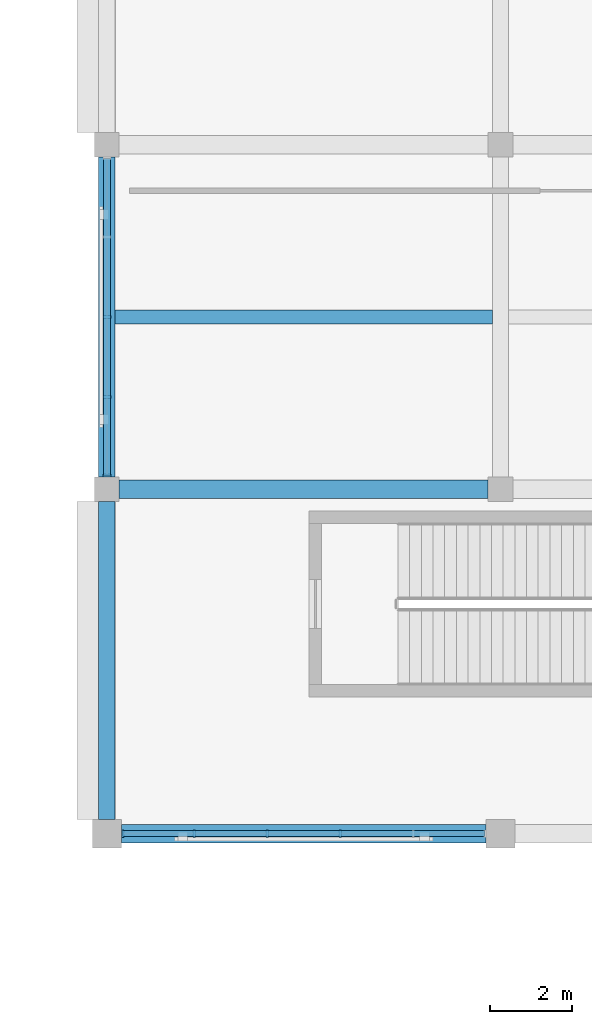
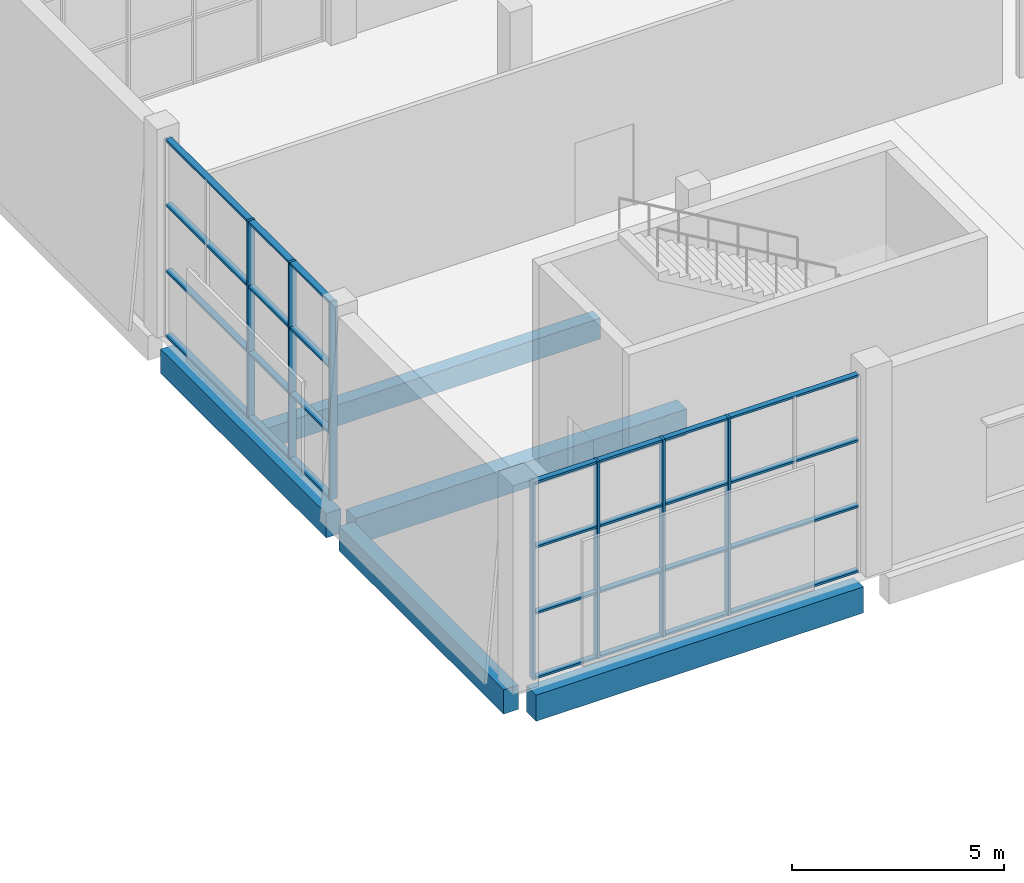
# One storey, part 26 of 84: 15 members, 5 beams, 2 elements without a shape of their own.
"""IFC4 building model written with IfcOpenShell, lengths in metres."""

from ifc_helpers import new_model, si_unit, direction, frame, origin, origin_2d, place, context, subcontext, project, spatial, rectangle, extrude, material, material_profile, profile_set, type_object, element, aggregate, save


model = new_model("IFC4")

# Units and contexts
model_context = context("Model", 3, precision=1e-05, world=origin(), true_north=direction((0.0, 1.0)))
body_context = subcontext(model_context, "Body", "Model", "MODEL_VIEW")
ifc_project = project(units=[si_unit("LENGTHUNIT", "METRE"), si_unit("AREAUNIT", "SQUARE_METRE"), si_unit("VOLUMEUNIT", "CUBIC_METRE"), si_unit("PLANEANGLEUNIT", "RADIAN"), si_unit("MASSUNIT", "GRAM", prefix="KILO")], contexts=[model_context])

# Site, building, storey
site_placement = place(None, origin())
site = spatial("IfcSite", under=ifc_project, at=site_placement, CompositionType="ELEMENT")
building_placement = place(site_placement, origin())
building = spatial("IfcBuilding", under=site, at=building_placement, Name="Shalvenor Court Art Gallery", CompositionType="ELEMENT")
storey_placement = place(building_placement, origin())
storey = spatial("IfcBuildingStorey", under=building, at=storey_placement, Name="L00", CompositionType="ELEMENT", Elevation=0.0)

# Beams
ifc_material_1 = material(Name="Concrete C40/50", Category="concrete")
ifc_material_profile_1 = material_profile(ifc_material_1, rectangle(XDim=0.449951171875, YDim=0.75, at=origin_2d()), Name="RC 450x750")
ifc_profile_set_1 = profile_set([ifc_material_profile_1], Name="Concrete C40/50")
beam_type_1 = type_object("IfcBeamType", Name="B-04", PredefinedType="BEAM", material=ifc_profile_set_1)
beam_1_placement = place(storey_placement, frame((57.949951171875, 97.199951171875, -0.715087890625), z_axis=(1.0, 0.0, 0.0), x_axis=(0.0, 1.0, 0.0)))
element("IfcBeam", 1, at=beam_1_placement, inside=storey, type_object=beam_type_1, Name="L00 Girder BM-L00-B-04-0239", PredefinedType="BEAM", context=body_context, shape_type="SweptSolid", body=[
    extrude(rectangle(XDim=0.449951171875, YDim=0.75, at=origin_2d()), origin(), (0.0, 0.0, 1.0), 8.900146484375),
])
beam_2_placement = place(storey_placement, frame((57.89990234375, 105.60009765625, -0.715087890625), z_axis=(1.0, 0.0, 0.0), x_axis=(0.0, 1.0, 0.0)))
element("IfcBeam", 2, at=beam_2_placement, inside=storey, type_object=beam_type_1, Name="L00 Girder BM-L00-B-04-0255", PredefinedType="BEAM", context=body_context, shape_type="SweptSolid", body=[
    extrude(rectangle(XDim=0.449951171875, YDim=0.75, at=origin_2d()), origin(), (0.0, 0.0, 1.0), 9.0),
])
ifc_material_2 = material(Name="Concrete C40/50", Category="concrete")
ifc_material_profile_2 = material_profile(ifc_material_2, rectangle(XDim=0.39990234375, YDim=0.699951171875, at=origin_2d()), Name="RC 400x700")
ifc_profile_set_2 = profile_set([ifc_material_profile_2], Name="Concrete C40/50")
beam_type_2 = type_object("IfcBeamType", Name="B-05", PredefinedType="BEAM", material=ifc_profile_set_2)
beam_3_placement = place(storey_placement, frame((57.60009765625, 97.550048828125, -0.68994140625), z_axis=(0.0, 1.0, 0.0), x_axis=(-1.0, 0.0, 0.0)))
element("IfcBeam", 3, at=beam_3_placement, inside=storey, type_object=beam_type_2, Name="L00 Girder BM-L00-B-05-0048", PredefinedType="BEAM", context=body_context, shape_type="SweptSolid", body=[
    extrude(rectangle(XDim=0.39990234375, YDim=0.699951171875, at=origin_2d()), origin(), (0.0, 0.0, 1.0), 7.75),
])
beam_4_placement = place(storey_placement, frame((57.60009765625, 105.89990234375, -0.68994140625), z_axis=(0.0, 1.0, 0.0), x_axis=(-1.0, 0.0, 0.0)))
element("IfcBeam", 4, at=beam_4_placement, inside=storey, type_object=beam_type_2, Name="L00 Girder BM-L00-B-05-0049", PredefinedType="BEAM", context=body_context, shape_type="SweptSolid", body=[
    extrude(rectangle(XDim=0.39990234375, YDim=0.699951171875, at=origin_2d()), origin(), (0.0, 0.0, 1.0), 7.800048828125),
])

# Curtain wall, members
ifc_material_3 = material(Name="Anodised aluminium and low-iron glass curtain wall", Category="aluminium")
curtain_wall_type_1 = type_object("IfcCurtainWallType", Name="CW-5x3-89-57-112", PredefinedType="USERDEFINED", material=ifc_material_3)
curtain_wall_1_placement = place(storey_placement, origin())
curtain_wall_1 = element("IfcCurtainWall", 5, at=curtain_wall_1_placement, inside=storey, type_object=curtain_wall_type_1, Name="L00 V2 Curtain Wall CW-L00-060", ObjectType="CURTAIN WALL", PredefinedType="USERDEFINED")
ifc_material_4 = material(Name="Anodised aluminium mullion", Category="aluminium")
ifc_material_profile_3 = material_profile(ifc_material_4, rectangle(XDim=0.06494140625, YDim=0.179931640625, at=origin_2d()), Name="CWM-01")
ifc_profile_set_3 = profile_set([ifc_material_profile_3], Name="Anodised aluminium mullion")
member_type_1 = type_object("IfcMemberType", Name="CWM-01", PredefinedType="MULLION", material=ifc_profile_set_3)
member_1_placement = place(storey_placement, frame((63.2900390625, 97.199951171875, 0.0), z_axis=(0.0, 0.0, 1.0), x_axis=(-1.0, 0.0, 0.0)))
member_1 = element("IfcMember", 6, at=member_1_placement, type_object=member_type_1, Name="CW-5x3-89-57-112 mullion 3", PredefinedType="MULLION", context=body_context, shape_type="SweptSolid", body=[
    extrude(rectangle(XDim=0.06494140625, YDim=0.179931640625, at=origin_2d()), origin(), (0.0, 0.0, 1.0), 5.679931640625),
])
member_2_placement = place(storey_placement, frame((61.510009765625, 97.199951171875, 0.0), z_axis=(0.0, 0.0, 1.0), x_axis=(-1.0, 0.0, 0.0)))
member_2 = element("IfcMember", 7, at=member_2_placement, type_object=member_type_1, Name="CW-5x3-89-57-112 mullion 4", PredefinedType="MULLION", context=body_context, shape_type="SweptSolid", body=[
    extrude(rectangle(XDim=0.06494140625, YDim=0.179931640625, at=origin_2d()), origin(), (0.0, 0.0, 1.0), 5.679931640625),
])
member_3_placement = place(storey_placement, frame((59.72998046875, 97.199951171875, 0.0), z_axis=(0.0, 0.0, 1.0), x_axis=(-1.0, 0.0, 0.0)))
member_3 = element("IfcMember", 8, at=member_3_placement, type_object=member_type_1, Name="CW-5x3-89-57-112 mullion 5", PredefinedType="MULLION", context=body_context, shape_type="SweptSolid", body=[
    extrude(rectangle(XDim=0.06494140625, YDim=0.179931640625, at=origin_2d()), origin(), (0.0, 0.0, 1.0), 5.679931640625),
])
member_4_placement = place(storey_placement, frame((57.982421875, 97.199951171875, 0.0), z_axis=(0.0, 0.0, 1.0), x_axis=(-1.0, 0.0, 0.0)))
member_4 = element("IfcMember", 9, at=member_4_placement, type_object=member_type_1, Name="CW-5x3-89-57-112 mullion 6", PredefinedType="MULLION", context=body_context, shape_type="SweptSolid", body=[
    extrude(rectangle(XDim=0.06494140625, YDim=0.179931640625, at=origin_2d()), origin(), (0.0, 0.0, 1.0), 5.679931640625),
])

ifc_material_5 = material(Name="Anodised aluminium and low-iron glass curtain wall", Category="aluminium")
curtain_wall_type_2 = type_object("IfcCurtainWallType", Name="CW-4x3-78-57-222", PredefinedType="USERDEFINED", material=ifc_material_5)
curtain_wall_2_placement = place(storey_placement, origin())
curtain_wall_2 = element("IfcCurtainWall", 10, at=curtain_wall_2_placement, inside=storey, type_object=curtain_wall_type_2, Name="L00 V2 Curtain Wall CW-L00-061", ObjectType="CURTAIN WALL", PredefinedType="USERDEFINED")
ifc_material_6 = material(Name="Anodised aluminium mullion", Category="aluminium")
ifc_material_profile_4 = material_profile(ifc_material_6, rectangle(XDim=0.070068359375, YDim=0.199951171875, at=origin_2d()), Name="CWM-02")
ifc_profile_set_4 = profile_set([ifc_material_profile_4], Name="Anodised aluminium mullion")
member_type_2 = type_object("IfcMemberType", Name="CWM-02", PredefinedType="MULLION", material=ifc_profile_set_4)
member_5_placement = place(storey_placement, frame((57.60009765625, 105.93505859375, 0.0), z_axis=(0.0, 0.0, 1.0), x_axis=(0.0, 1.0, 0.0)))
member_5 = element("IfcMember", 11, at=member_5_placement, type_object=member_type_2, Name="CW-4x3-78-57-222 mullion 1", PredefinedType="MULLION", context=body_context, shape_type="SweptSolid", body=[
    extrude(rectangle(XDim=0.070068359375, YDim=0.199951171875, at=origin_2d()), origin(), (0.0, 0.0, 1.0), 5.679931640625),
])
member_6_placement = place(storey_placement, frame((57.60009765625, 107.85009765625, 0.0), z_axis=(0.0, 0.0, 1.0), x_axis=(0.0, 1.0, 0.0)))
member_6 = element("IfcMember", 12, at=member_6_placement, type_object=member_type_2, Name="CW-4x3-78-57-222 mullion 2", PredefinedType="MULLION", context=body_context, shape_type="SweptSolid", body=[
    extrude(rectangle(XDim=0.070068359375, YDim=0.199951171875, at=origin_2d()), origin(), (0.0, 0.0, 1.0), 5.679931640625),
])
member_7_placement = place(storey_placement, frame((57.60009765625, 109.800048828125, 0.0), z_axis=(0.0, 0.0, 1.0), x_axis=(0.0, 1.0, 0.0)))
member_7 = element("IfcMember", 13, at=member_7_placement, type_object=member_type_2, Name="CW-4x3-78-57-222 mullion 3", PredefinedType="MULLION", context=body_context, shape_type="SweptSolid", body=[
    extrude(rectangle(XDim=0.070068359375, YDim=0.199951171875, at=origin_2d()), origin(), (0.0, 0.0, 1.0), 5.679931640625),
])

# Member
ifc_material_7 = material(Name="Anodised aluminium transom", Category="aluminium")
ifc_material_profile_5 = material_profile(ifc_material_7, rectangle(XDim=0.14990234375, YDim=0.06005859375, at=origin_2d()), Name="CWT-01")
ifc_profile_set_5 = profile_set([ifc_material_profile_5], Name="Anodised aluminium transom")
member_type_3 = type_object("IfcMemberType", Name="CWT-01", PredefinedType="USERDEFINED", material=ifc_profile_set_5)
member_8_placement = place(storey_placement, frame((66.8173828125, 97.199951171875, 0.030029296875), z_axis=(-1.0, 0.0, 0.0), x_axis=(0.0, -1.0, 0.0)))
member_8 = element("IfcMember", 14, at=member_8_placement, type_object=member_type_3, Name="CW-5x3-89-57-112 transom 1", ObjectType="TRANSOM", PredefinedType="USERDEFINED", context=body_context, shape_type="SweptSolid", body=[
    extrude(rectangle(XDim=0.14990234375, YDim=0.06005859375, at=origin_2d()), origin(), (0.0, 0.0, 1.0), 8.8349609375),
])

member_9_placement = place(storey_placement, frame((66.8173828125, 97.199951171875, 1.893310546875), z_axis=(-1.0, 0.0, 0.0), x_axis=(0.0, -1.0, 0.0)))
member_9 = element("IfcMember", 15, at=member_9_placement, type_object=member_type_3, Name="CW-5x3-89-57-112 transom 2", ObjectType="TRANSOM", PredefinedType="USERDEFINED", context=body_context, shape_type="SweptSolid", body=[
    extrude(rectangle(XDim=0.14990234375, YDim=0.06005859375, at=origin_2d()), origin(), (0.0, 0.0, 1.0), 8.8349609375),
])

member_10_placement = place(storey_placement, frame((66.8173828125, 97.199951171875, 3.78662109375), z_axis=(-1.0, 0.0, 0.0), x_axis=(0.0, -1.0, 0.0)))
member_10 = element("IfcMember", 16, at=member_10_placement, type_object=member_type_3, Name="CW-5x3-89-57-112 transom 3", ObjectType="TRANSOM", PredefinedType="USERDEFINED", context=body_context, shape_type="SweptSolid", body=[
    extrude(rectangle(XDim=0.14990234375, YDim=0.06005859375, at=origin_2d()), origin(), (0.0, 0.0, 1.0), 8.8349609375),
])

member_11_placement = place(storey_placement, frame((66.8173828125, 97.199951171875, 5.64990234375), z_axis=(-1.0, 0.0, 0.0), x_axis=(0.0, -1.0, 0.0)))
member_11 = element("IfcMember", 17, at=member_11_placement, type_object=member_type_3, Name="CW-5x3-89-57-112 transom 4", ObjectType="TRANSOM", PredefinedType="USERDEFINED", context=body_context, shape_type="SweptSolid", body=[
    extrude(rectangle(XDim=0.14990234375, YDim=0.06005859375, at=origin_2d()), origin(), (0.0, 0.0, 1.0), 8.8349609375),
])

aggregate(curtain_wall_1, [member_1, member_2, member_3, member_4, member_8, member_9, member_10, member_11])

ifc_material_8 = material(Name="Anodised aluminium transom", Category="aluminium")
ifc_material_profile_6 = material_profile(ifc_material_8, rectangle(XDim=0.169921875, YDim=0.06494140625, at=origin_2d()), Name="CWT-02")
ifc_profile_set_6 = profile_set([ifc_material_profile_6], Name="Anodised aluminium transom")
member_type_4 = type_object("IfcMemberType", Name="CWT-02", PredefinedType="USERDEFINED", material=ifc_profile_set_6)
member_12_placement = place(storey_placement, frame((57.60009765625, 105.93505859375, 0.032470703125), z_axis=(0.0, 1.0, 0.0), x_axis=(-1.0, 0.0, 0.0)))
member_12 = element("IfcMember", 18, at=member_12_placement, type_object=member_type_4, Name="CW-4x3-78-57-222 transom 1", ObjectType="TRANSOM", PredefinedType="USERDEFINED", context=body_context, shape_type="SweptSolid", body=[
    extrude(rectangle(XDim=0.169921875, YDim=0.06494140625, at=origin_2d()), origin(), (0.0, 0.0, 1.0), 7.72998046875),
])

member_13_placement = place(storey_placement, frame((57.60009765625, 105.93505859375, 1.893310546875), z_axis=(0.0, 1.0, 0.0), x_axis=(-1.0, 0.0, 0.0)))
member_13 = element("IfcMember", 19, at=member_13_placement, type_object=member_type_4, Name="CW-4x3-78-57-222 transom 2", ObjectType="TRANSOM", PredefinedType="USERDEFINED", context=body_context, shape_type="SweptSolid", body=[
    extrude(rectangle(XDim=0.169921875, YDim=0.06494140625, at=origin_2d()), origin(), (0.0, 0.0, 1.0), 7.72998046875),
])

member_14_placement = place(storey_placement, frame((57.60009765625, 105.93505859375, 3.78662109375), z_axis=(0.0, 1.0, 0.0), x_axis=(-1.0, 0.0, 0.0)))
member_14 = element("IfcMember", 20, at=member_14_placement, type_object=member_type_4, Name="CW-4x3-78-57-222 transom 3", ObjectType="TRANSOM", PredefinedType="USERDEFINED", context=body_context, shape_type="SweptSolid", body=[
    extrude(rectangle(XDim=0.169921875, YDim=0.06494140625, at=origin_2d()), origin(), (0.0, 0.0, 1.0), 7.72998046875),
])

member_15_placement = place(storey_placement, frame((57.60009765625, 105.93505859375, 5.6474609375), z_axis=(0.0, 1.0, 0.0), x_axis=(-1.0, 0.0, 0.0)))
member_15 = element("IfcMember", 21, at=member_15_placement, type_object=member_type_4, Name="CW-4x3-78-57-222 transom 4", ObjectType="TRANSOM", PredefinedType="USERDEFINED", context=body_context, shape_type="SweptSolid", body=[
    extrude(rectangle(XDim=0.169921875, YDim=0.06494140625, at=origin_2d()), origin(), (0.0, 0.0, 1.0), 7.72998046875),
])

aggregate(curtain_wall_2, [member_5, member_6, member_7, member_12, member_13, member_14, member_15])

# Beam
ifc_material_9 = material(Name="Concrete C40/50", Category="concrete")
ifc_material_profile_7 = material_profile(ifc_material_9, rectangle(XDim=0.35009765625, YDim=0.60009765625, at=origin_2d()), Name="RC 350x600")
ifc_profile_set_7 = profile_set([ifc_material_profile_7], Name="Concrete C40/50")
beam_type_3 = type_object("IfcBeamType", Name="J-01", PredefinedType="JOIST", material=ifc_profile_set_7)
beam_5_placement = place(storey_placement, frame((57.800048828125, 109.800048828125, -0.639892578125), z_axis=(1.0, 0.0, 0.0), x_axis=(0.0, 1.0, 0.0)))
element("IfcBeam", 22, at=beam_5_placement, inside=storey, type_object=beam_type_3, Name="L00 Secondary Beam JST-L00-J-01-0306", PredefinedType="JOIST", context=body_context, shape_type="SweptSolid", body=[
    extrude(rectangle(XDim=0.35009765625, YDim=0.60009765625, at=origin_2d()), origin(), (0.0, 0.0, 1.0), 9.199951171875),
])

save(model, "model.ifc")
